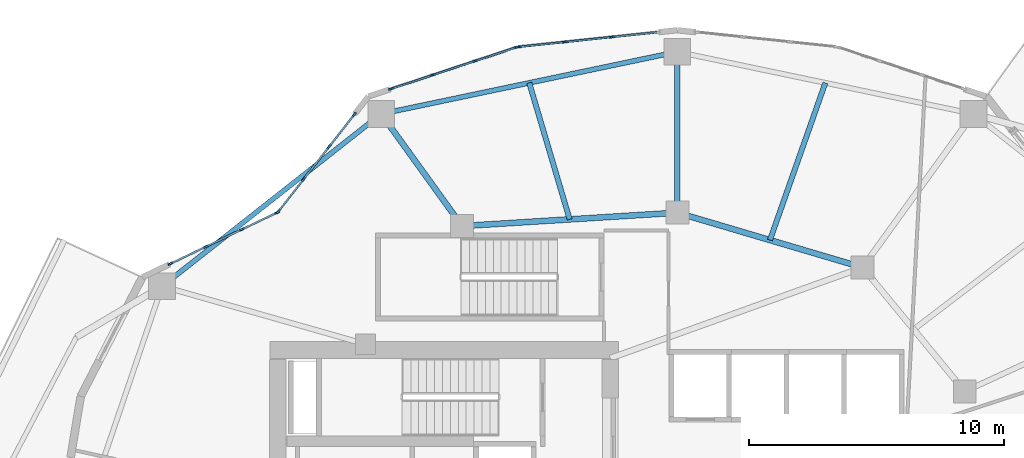
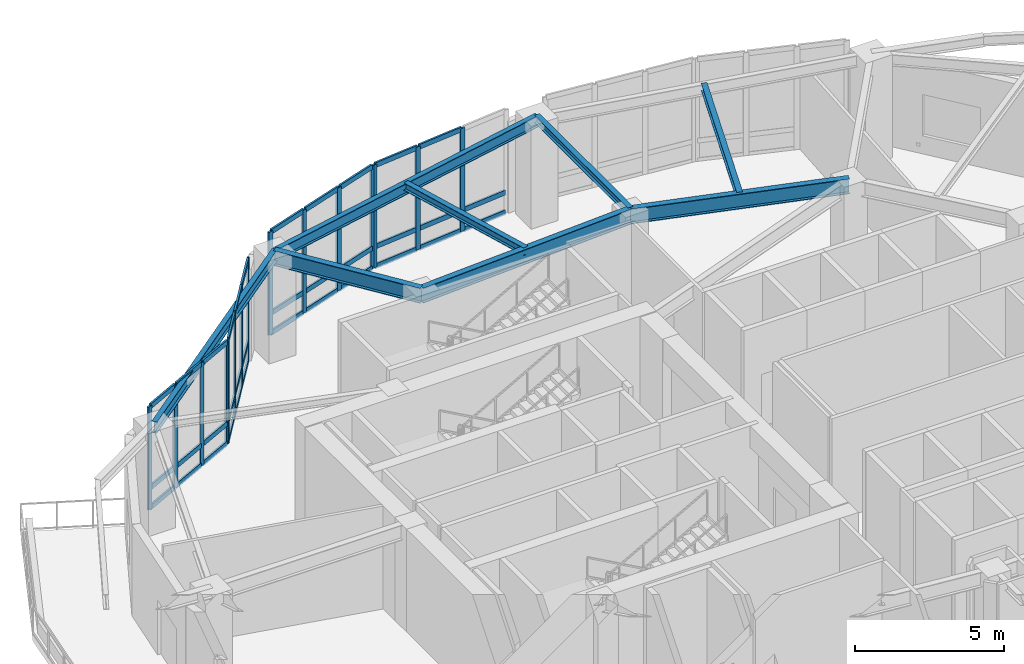
# One storey, part 6 of 16: 50 members, 8 beams, 4 elements without a shape of their own.
"""IFC4 building model written with IfcOpenShell, lengths in metres."""

from ifc_helpers import new_model, si_unit, direction, frame, origin, origin_2d, place, context, subcontext, project, spatial, rectangle, i_section, extrude, material, layer, layer_set, material_profile, profile_set, type_object, element, aggregate, save


model = new_model("IFC4")

# Units and contexts
model_context = context("Model", 3, precision=1e-05, world=origin(), true_north=direction((0.0, 1.0)))
body_context = subcontext(model_context, "Body", "Model", "MODEL_VIEW")
ifc_project = project(units=[si_unit("LENGTHUNIT", "METRE"), si_unit("AREAUNIT", "SQUARE_METRE"), si_unit("VOLUMEUNIT", "CUBIC_METRE"), si_unit("PLANEANGLEUNIT", "RADIAN"), si_unit("MASSUNIT", "GRAM", prefix="KILO")], contexts=[model_context])

# Site, building, storey
site_placement = place(None, origin())
site = spatial("IfcSite", under=ifc_project, at=site_placement, CompositionType="ELEMENT")
building_placement = place(site_placement, origin())
building = spatial("IfcBuilding", under=site, at=building_placement, Name="Kolvaren Gate Tower and Convention Centre", CompositionType="ELEMENT")
storey_placement = place(building_placement, frame((0.0, 0.0, 100.800048828125)))
storey = spatial("IfcBuildingStorey", under=building, at=storey_placement, Name="L24", CompositionType="ELEMENT", Elevation=100.800048828125)

# Curtain wall, members
ifc_material_1 = material(Name="Anodized Architectural Aluminium Alloy 6063-T6", Category="aluminium")
ifc_layer = layer(ifc_material_1, 0.199951171875)
ifc_layer_set = layer_set([ifc_layer], Name="Anodized Architectural Aluminium Alloy 6063-T6")
curtain_wall_type = type_object("IfcCurtainWallType", Name="CW-SKY-GLZ", PredefinedType="NOTDEFINED", material=ifc_layer_set)
curtain_wall_1_placement = place(storey_placement, origin())
curtain_wall_1 = element("IfcCurtainWall", 1, at=curtain_wall_1_placement, inside=storey, type_object=curtain_wall_type, Name="L24 Panoramic Structural Curtain Wall CW-06", PredefinedType="NOTDEFINED")
ifc_material_profile_1 = material_profile(ifc_material_1, rectangle(XDim=0.074951171875, YDim=0.199951171875, at=origin_2d()), Name="CW-MEM-MUL-200")
ifc_profile_set_1 = profile_set([ifc_material_profile_1], Name="Anodized Architectural Aluminium Alloy 6063-T6")
member_type_1 = type_object("IfcMemberType", Name="CW-MEM-MUL-200", PredefinedType="MULLION", material=ifc_profile_set_1)
member_1_placement = place(storey_placement, frame((23.902099609375, 45.694580078125, 0.0), z_axis=(0.0, 0.0, 1.0), x_axis=(-0.104742768305, 0.994499347656, 0.0)))
member_1 = element("IfcMember", 2, at=member_1_placement, type_object=member_type_1, Name="CW-05 mullion 1", PredefinedType="MULLION", context=body_context, shape_type="SweptSolid", body=[
    extrude(rectangle(XDim=0.074951171875, YDim=0.199951171875, at=origin_2d()), origin(), (0.0, 0.0, 1.0), 4.22998046875),
])
member_2_placement = place(storey_placement, frame((25.7099609375, 45.885009765625, 0.0), z_axis=(0.0, 0.0, 1.0), x_axis=(-0.104742768305, 0.994499347656, 0.0)))
member_2 = element("IfcMember", 3, at=member_2_placement, type_object=member_type_1, Name="CW-05 mullion 2", PredefinedType="MULLION", context=body_context, shape_type="SweptSolid", body=[
    extrude(rectangle(XDim=0.074951171875, YDim=0.199951171875, at=origin_2d()), origin(), (0.0, 0.0, 1.0), 4.22998046875),
])
member_3_placement = place(storey_placement, frame((27.55517578125, 46.079345703125, 0.0), z_axis=(0.0, 0.0, 1.0), x_axis=(-0.104742768305, 0.994499347656, 0.0)))
member_3 = element("IfcMember", 4, at=member_3_placement, type_object=member_type_1, Name="CW-05 mullion 3", PredefinedType="MULLION", context=body_context, shape_type="SweptSolid", body=[
    extrude(rectangle(XDim=0.074951171875, YDim=0.199951171875, at=origin_2d()), origin(), (0.0, 0.0, 1.0), 4.22998046875),
])

curtain_wall_2_placement = place(storey_placement, origin())
curtain_wall_2 = element("IfcCurtainWall", 5, at=curtain_wall_2_placement, inside=storey, type_object=curtain_wall_type, Name="L24 Panoramic Structural Curtain Wall CW-07", PredefinedType="NOTDEFINED")
member_4_placement = place(storey_placement, frame((18.91650390625, 44.05078125, 0.0), z_axis=(0.0, 0.0, 1.0), x_axis=(-0.314564560163, 0.949236081009, 0.0)))
member_4 = element("IfcMember", 6, at=member_4_placement, type_object=member_type_1, Name="CW-05 mullion 1", PredefinedType="MULLION", context=body_context, shape_type="SweptSolid", body=[
    extrude(rectangle(XDim=0.074951171875, YDim=0.199951171875, at=origin_2d()), origin(), (0.0, 0.0, 1.0), 4.22998046875),
])
member_5_placement = place(storey_placement, frame((20.542236328125, 44.589599609375, 0.0), z_axis=(0.0, 0.0, 1.0), x_axis=(-0.314564560163, 0.949236081009, 0.0)))
member_5 = element("IfcMember", 7, at=member_5_placement, type_object=member_type_1, Name="CW-05 mullion 2", PredefinedType="MULLION", context=body_context, shape_type="SweptSolid", body=[
    extrude(rectangle(XDim=0.074951171875, YDim=0.199951171875, at=origin_2d()), origin(), (0.0, 0.0, 1.0), 4.22998046875),
])
member_6_placement = place(storey_placement, frame((22.20361328125, 45.14013671875, 0.0), z_axis=(0.0, 0.0, 1.0), x_axis=(-0.314564560163, 0.949236081009, 0.0)))
member_6 = element("IfcMember", 8, at=member_6_placement, type_object=member_type_1, Name="CW-05 mullion 3", PredefinedType="MULLION", context=body_context, shape_type="SweptSolid", body=[
    extrude(rectangle(XDim=0.074951171875, YDim=0.199951171875, at=origin_2d()), origin(), (0.0, 0.0, 1.0), 4.22998046875),
])
member_7_placement = place(storey_placement, frame((23.8291015625, 45.678955078125, 0.0), z_axis=(0.0, 0.0, 1.0), x_axis=(-0.314564560163, 0.949236081009, 0.0)))
member_7 = element("IfcMember", 9, at=member_7_placement, type_object=member_type_1, Name="CW-05 mullion 4", PredefinedType="MULLION", context=body_context, shape_type="SweptSolid", body=[
    extrude(rectangle(XDim=0.074951171875, YDim=0.199951171875, at=origin_2d()), origin(), (0.0, 0.0, 1.0), 4.22998046875),
])

curtain_wall_3_placement = place(storey_placement, origin())
curtain_wall_3 = element("IfcCurtainWall", 10, at=curtain_wall_3_placement, inside=storey, type_object=curtain_wall_type, Name="L24 Panoramic Structural Curtain Wall CW-08", PredefinedType="NOTDEFINED")
member_8_placement = place(storey_placement, frame((14.50439453125, 39.25244140625, 0.0), z_axis=(0.0, 0.0, 1.0), x_axis=(-0.787400841666, 0.616441330983, 0.0)))
member_8 = element("IfcMember", 11, at=member_8_placement, type_object=member_type_1, Name="CW-05 mullion 1", PredefinedType="MULLION", context=body_context, shape_type="SweptSolid", body=[
    extrude(rectangle(XDim=0.074951171875, YDim=0.199951171875, at=origin_2d()), origin(), (0.0, 0.0, 1.0), 4.22998046875),
])
member_9_placement = place(storey_placement, frame((15.484619140625, 40.504638671875, 0.0), z_axis=(0.0, 0.0, 1.0), x_axis=(-0.787400841666, 0.616441330983, 0.0)))
member_9 = element("IfcMember", 12, at=member_9_placement, type_object=member_type_1, Name="CW-05 mullion 2", PredefinedType="MULLION", context=body_context, shape_type="SweptSolid", body=[
    extrude(rectangle(XDim=0.074951171875, YDim=0.199951171875, at=origin_2d()), origin(), (0.0, 0.0, 1.0), 4.22998046875),
])
member_10_placement = place(storey_placement, frame((16.488037109375, 41.786376953125, 0.0), z_axis=(0.0, 0.0, 1.0), x_axis=(-0.787400841666, 0.616441330983, 0.0)))
member_10 = element("IfcMember", 13, at=member_10_placement, type_object=member_type_1, Name="CW-05 mullion 3", PredefinedType="MULLION", context=body_context, shape_type="SweptSolid", body=[
    extrude(rectangle(XDim=0.074951171875, YDim=0.199951171875, at=origin_2d()), origin(), (0.0, 0.0, 1.0), 4.22998046875),
])
member_11_placement = place(storey_placement, frame((17.46826171875, 43.038330078125, 0.0), z_axis=(0.0, 0.0, 1.0), x_axis=(-0.787400841666, 0.616441330983, 0.0)))
member_11 = element("IfcMember", 14, at=member_11_placement, type_object=member_type_1, Name="CW-05 mullion 4", PredefinedType="MULLION", context=body_context, shape_type="SweptSolid", body=[
    extrude(rectangle(XDim=0.074951171875, YDim=0.199951171875, at=origin_2d()), origin(), (0.0, 0.0, 1.0), 4.22998046875),
])

curtain_wall_4_placement = place(storey_placement, origin())
curtain_wall_4 = element("IfcCurtainWall", 15, at=curtain_wall_4_placement, inside=storey, type_object=curtain_wall_type, Name="L24 Panoramic Structural Curtain Wall CW-09", PredefinedType="NOTDEFINED")
member_12_placement = place(storey_placement, frame((10.2763671875, 37.20263671875, 0.0), z_axis=(0.0, 0.0, 1.0), x_axis=(-0.43307254033, 0.901359070966, 0.0)))
member_12 = element("IfcMember", 16, at=member_12_placement, type_object=member_type_1, Name="CW-05 mullion 1", PredefinedType="MULLION", context=body_context, shape_type="SweptSolid", body=[
    extrude(rectangle(XDim=0.074951171875, YDim=0.199951171875, at=origin_2d()), origin(), (0.0, 0.0, 1.0), 4.22998046875),
])
member_13_placement = place(storey_placement, frame((11.655517578125, 37.865234375, 0.0), z_axis=(0.0, 0.0, 1.0), x_axis=(-0.43307254033, 0.901359070966, 0.0)))
member_13 = element("IfcMember", 17, at=member_13_placement, type_object=member_type_1, Name="CW-05 mullion 2", PredefinedType="MULLION", context=body_context, shape_type="SweptSolid", body=[
    extrude(rectangle(XDim=0.074951171875, YDim=0.199951171875, at=origin_2d()), origin(), (0.0, 0.0, 1.0), 4.22998046875),
])
member_14_placement = place(storey_placement, frame((13.068359375, 38.544189453125, 0.0), z_axis=(0.0, 0.0, 1.0), x_axis=(-0.43307254033, 0.901359070966, 0.0)))
member_14 = element("IfcMember", 18, at=member_14_placement, type_object=member_type_1, Name="CW-05 mullion 3", PredefinedType="MULLION", context=body_context, shape_type="SweptSolid", body=[
    extrude(rectangle(XDim=0.074951171875, YDim=0.199951171875, at=origin_2d()), origin(), (0.0, 0.0, 1.0), 4.22998046875),
])
member_15_placement = place(storey_placement, frame((14.447509765625, 39.206787109375, 0.0), z_axis=(0.0, 0.0, 1.0), x_axis=(-0.43307254033, 0.901359070966, 0.0)))
member_15 = element("IfcMember", 19, at=member_15_placement, type_object=member_type_1, Name="CW-05 mullion 4", PredefinedType="MULLION", context=body_context, shape_type="SweptSolid", body=[
    extrude(rectangle(XDim=0.074951171875, YDim=0.199951171875, at=origin_2d()), origin(), (0.0, 0.0, 1.0), 4.22998046875),
])

# Member
ifc_material_profile_2 = material_profile(ifc_material_1, rectangle(XDim=0.074951171875, YDim=0.199951171875, at=origin_2d()), Name="CW-MEM-TRN-200")
ifc_profile_set_2 = profile_set([ifc_material_profile_2], Name="Anodized Architectural Aluminium Alloy 6063-T6")
member_type_2 = type_object("IfcMemberType", Name="CW-MEM-TRN-200", PredefinedType="USERDEFINED", material=ifc_profile_set_2)
member_16_placement = place(storey_placement, frame((23.939453125, 45.698486328125, 0.037353515625), z_axis=(0.994494701097, 0.104786876521, 0.0), x_axis=(-0.104786876521, 0.994494701097, 0.0)))
member_16 = element("IfcMember", 20, at=member_16_placement, type_object=member_type_2, Name="CW-05 transom 1.1", ObjectType="TRANSOM", PredefinedType="USERDEFINED", context=body_context, shape_type="SweptSolid", body=[
    extrude(rectangle(XDim=0.074951171875, YDim=0.199951171875, at=origin_2d()), origin(), (0.0, 0.0, 1.0), 1.74267578125),
])

member_17_placement = place(storey_placement, frame((23.939453125, 45.698486328125, 0.849853515625), z_axis=(0.994494701097, 0.104786876521, 0.0), x_axis=(-0.104786876521, 0.994494701097, 0.0)))
member_17 = element("IfcMember", 21, at=member_17_placement, type_object=member_type_2, Name="CW-05 transom 1.2", ObjectType="TRANSOM", PredefinedType="USERDEFINED", context=body_context, shape_type="SweptSolid", body=[
    extrude(rectangle(XDim=0.074951171875, YDim=0.199951171875, at=origin_2d()), origin(), (0.0, 0.0, 1.0), 1.74267578125),
])

member_18_placement = place(storey_placement, frame((23.939453125, 45.698486328125, 4.1923828125), z_axis=(0.994494701097, 0.104786876521, 0.0), x_axis=(-0.104786876521, 0.994494701097, 0.0)))
member_18 = element("IfcMember", 22, at=member_18_placement, type_object=member_type_2, Name="CW-05 transom 1.3", ObjectType="TRANSOM", PredefinedType="USERDEFINED", context=body_context, shape_type="SweptSolid", body=[
    extrude(rectangle(XDim=0.074951171875, YDim=0.199951171875, at=origin_2d()), origin(), (0.0, 0.0, 1.0), 1.74267578125),
])

member_19_placement = place(storey_placement, frame((25.747314453125, 45.888916015625, 0.037353515625), z_axis=(0.994496432196, 0.104770445973, 0.0), x_axis=(-0.104770445973, 0.994496432196, 0.0)))
member_19 = element("IfcMember", 23, at=member_19_placement, type_object=member_type_2, Name="CW-05 transom 2.1", ObjectType="TRANSOM", PredefinedType="USERDEFINED", context=body_context, shape_type="SweptSolid", body=[
    extrude(rectangle(XDim=0.074951171875, YDim=0.199951171875, at=origin_2d()), origin(), (0.0, 0.0, 1.0), 1.7802734375),
])

member_20_placement = place(storey_placement, frame((25.747314453125, 45.888916015625, 0.849853515625), z_axis=(0.994496432196, 0.104770445973, 0.0), x_axis=(-0.104770445973, 0.994496432196, 0.0)))
member_20 = element("IfcMember", 24, at=member_20_placement, type_object=member_type_2, Name="CW-05 transom 2.2", ObjectType="TRANSOM", PredefinedType="USERDEFINED", context=body_context, shape_type="SweptSolid", body=[
    extrude(rectangle(XDim=0.074951171875, YDim=0.199951171875, at=origin_2d()), origin(), (0.0, 0.0, 1.0), 1.7802734375),
])

member_21_placement = place(storey_placement, frame((25.747314453125, 45.888916015625, 4.1923828125), z_axis=(0.994496432196, 0.104770445973, 0.0), x_axis=(-0.104770445973, 0.994496432196, 0.0)))
member_21 = element("IfcMember", 25, at=member_21_placement, type_object=member_type_2, Name="CW-05 transom 2.3", ObjectType="TRANSOM", PredefinedType="USERDEFINED", context=body_context, shape_type="SweptSolid", body=[
    extrude(rectangle(XDim=0.074951171875, YDim=0.199951171875, at=origin_2d()), origin(), (0.0, 0.0, 1.0), 1.7802734375),
])

member_22_placement = place(storey_placement, frame((27.59228515625, 46.083251953125, 0.037353515625), z_axis=(0.994496238997, 0.104772279827, 0.0), x_axis=(-0.104772279827, 0.994496238997, 0.0)))
member_22 = element("IfcMember", 26, at=member_22_placement, type_object=member_type_2, Name="CW-05 transom 3.1", ObjectType="TRANSOM", PredefinedType="USERDEFINED", context=body_context, shape_type="SweptSolid", body=[
    extrude(rectangle(XDim=0.074951171875, YDim=0.199951171875, at=origin_2d()), origin(), (0.0, 0.0, 1.0), 1.742919921875),
])

member_23_placement = place(storey_placement, frame((27.59228515625, 46.083251953125, 0.849853515625), z_axis=(0.994496238997, 0.104772279827, 0.0), x_axis=(-0.104772279827, 0.994496238997, 0.0)))
member_23 = element("IfcMember", 27, at=member_23_placement, type_object=member_type_2, Name="CW-05 transom 3.2", ObjectType="TRANSOM", PredefinedType="USERDEFINED", context=body_context, shape_type="SweptSolid", body=[
    extrude(rectangle(XDim=0.074951171875, YDim=0.199951171875, at=origin_2d()), origin(), (0.0, 0.0, 1.0), 1.742919921875),
])

aggregate(curtain_wall_1, [member_1, member_2, member_3, member_16, member_17, member_18, member_19, member_20, member_21, member_22, member_23])

member_24_placement = place(storey_placement, frame((18.9521484375, 44.062744140625, 0.037353515625), z_axis=(0.949233474594, 0.314572425223, 0.0), x_axis=(-0.314572425223, 0.949233474594, 0.0)))
member_24 = element("IfcMember", 28, at=member_24_placement, type_object=member_type_2, Name="CW-05 transom 1.1", ObjectType="TRANSOM", PredefinedType="USERDEFINED", context=body_context, shape_type="SweptSolid", body=[
    extrude(rectangle(XDim=0.074951171875, YDim=0.199951171875, at=origin_2d()), origin(), (0.0, 0.0, 1.0), 1.6376953125),
])

member_25_placement = place(storey_placement, frame((18.9521484375, 44.062744140625, 0.849853515625), z_axis=(0.949233474594, 0.314572425223, 0.0), x_axis=(-0.314572425223, 0.949233474594, 0.0)))
member_25 = element("IfcMember", 29, at=member_25_placement, type_object=member_type_2, Name="CW-05 transom 1.2", ObjectType="TRANSOM", PredefinedType="USERDEFINED", context=body_context, shape_type="SweptSolid", body=[
    extrude(rectangle(XDim=0.074951171875, YDim=0.199951171875, at=origin_2d()), origin(), (0.0, 0.0, 1.0), 1.6376953125),
])

member_26_placement = place(storey_placement, frame((18.9521484375, 44.062744140625, 4.1923828125), z_axis=(0.949233474594, 0.314572425223, 0.0), x_axis=(-0.314572425223, 0.949233474594, 0.0)))
member_26 = element("IfcMember", 30, at=member_26_placement, type_object=member_type_2, Name="CW-05 transom 1.3", ObjectType="TRANSOM", PredefinedType="USERDEFINED", context=body_context, shape_type="SweptSolid", body=[
    extrude(rectangle(XDim=0.074951171875, YDim=0.199951171875, at=origin_2d()), origin(), (0.0, 0.0, 1.0), 1.6376953125),
])

member_27_placement = place(storey_placement, frame((20.577880859375, 44.601318359375, 0.037353515625), z_axis=(0.949206657439, 0.314653335392, 0.0), x_axis=(-0.314653335392, 0.949206657439, 0.0)))
member_27 = element("IfcMember", 31, at=member_27_placement, type_object=member_type_2, Name="CW-05 transom 2.1", ObjectType="TRANSOM", PredefinedType="USERDEFINED", context=body_context, shape_type="SweptSolid", body=[
    extrude(rectangle(XDim=0.074951171875, YDim=0.199951171875, at=origin_2d()), origin(), (0.0, 0.0, 1.0), 1.67529296875),
])

member_28_placement = place(storey_placement, frame((20.577880859375, 44.601318359375, 0.849853515625), z_axis=(0.949206657439, 0.314653335392, 0.0), x_axis=(-0.314653335392, 0.949206657439, 0.0)))
member_28 = element("IfcMember", 32, at=member_28_placement, type_object=member_type_2, Name="CW-05 transom 2.2", ObjectType="TRANSOM", PredefinedType="USERDEFINED", context=body_context, shape_type="SweptSolid", body=[
    extrude(rectangle(XDim=0.074951171875, YDim=0.199951171875, at=origin_2d()), origin(), (0.0, 0.0, 1.0), 1.67529296875),
])

member_29_placement = place(storey_placement, frame((20.577880859375, 44.601318359375, 4.1923828125), z_axis=(0.949206657439, 0.314653335392, 0.0), x_axis=(-0.314653335392, 0.949206657439, 0.0)))
member_29 = element("IfcMember", 33, at=member_29_placement, type_object=member_type_2, Name="CW-05 transom 2.3", ObjectType="TRANSOM", PredefinedType="USERDEFINED", context=body_context, shape_type="SweptSolid", body=[
    extrude(rectangle(XDim=0.074951171875, YDim=0.199951171875, at=origin_2d()), origin(), (0.0, 0.0, 1.0), 1.67529296875),
])

member_30_placement = place(storey_placement, frame((22.239013671875, 45.15185546875, 0.037353515625), z_axis=(0.949248224434, 0.314527913561, 0.0), x_axis=(-0.314527913561, 0.949248224434, 0.0)))
member_30 = element("IfcMember", 34, at=member_30_placement, type_object=member_type_2, Name="CW-05 transom 3.1", ObjectType="TRANSOM", PredefinedType="USERDEFINED", context=body_context, shape_type="SweptSolid", body=[
    extrude(rectangle(XDim=0.074951171875, YDim=0.199951171875, at=origin_2d()), origin(), (0.0, 0.0, 1.0), 1.6376953125),
])

member_31_placement = place(storey_placement, frame((22.239013671875, 45.15185546875, 0.849853515625), z_axis=(0.949248224434, 0.314527913561, 0.0), x_axis=(-0.314527913561, 0.949248224434, 0.0)))
member_31 = element("IfcMember", 35, at=member_31_placement, type_object=member_type_2, Name="CW-05 transom 3.2", ObjectType="TRANSOM", PredefinedType="USERDEFINED", context=body_context, shape_type="SweptSolid", body=[
    extrude(rectangle(XDim=0.074951171875, YDim=0.199951171875, at=origin_2d()), origin(), (0.0, 0.0, 1.0), 1.6376953125),
])

member_32_placement = place(storey_placement, frame((22.239013671875, 45.15185546875, 4.1923828125), z_axis=(0.949248224434, 0.314527913561, 0.0), x_axis=(-0.314527913561, 0.949248224434, 0.0)))
member_32 = element("IfcMember", 36, at=member_32_placement, type_object=member_type_2, Name="CW-05 transom 3.3", ObjectType="TRANSOM", PredefinedType="USERDEFINED", context=body_context, shape_type="SweptSolid", body=[
    extrude(rectangle(XDim=0.074951171875, YDim=0.199951171875, at=origin_2d()), origin(), (0.0, 0.0, 1.0), 1.6376953125),
])

aggregate(curtain_wall_2, [member_4, member_5, member_6, member_7, member_24, member_25, member_26, member_27, member_28, member_29, member_30, member_31, member_32])

member_33_placement = place(storey_placement, frame((14.527587890625, 39.281982421875, 0.037353515625), z_axis=(0.616447272845, 0.787396189857, 0.0), x_axis=(-0.787396189857, 0.616447272845, 0.0)))
member_33 = element("IfcMember", 37, at=member_33_placement, type_object=member_type_2, Name="CW-05 transom 1.1", ObjectType="TRANSOM", PredefinedType="USERDEFINED", context=body_context, shape_type="SweptSolid", body=[
    extrude(rectangle(XDim=0.074951171875, YDim=0.199951171875, at=origin_2d()), origin(), (0.0, 0.0, 1.0), 1.515380859375),
])

member_34_placement = place(storey_placement, frame((14.527587890625, 39.281982421875, 0.849853515625), z_axis=(0.616447272845, 0.787396189857, 0.0), x_axis=(-0.787396189857, 0.616447272845, 0.0)))
member_34 = element("IfcMember", 38, at=member_34_placement, type_object=member_type_2, Name="CW-05 transom 1.2", ObjectType="TRANSOM", PredefinedType="USERDEFINED", context=body_context, shape_type="SweptSolid", body=[
    extrude(rectangle(XDim=0.074951171875, YDim=0.199951171875, at=origin_2d()), origin(), (0.0, 0.0, 1.0), 1.515380859375),
])

member_35_placement = place(storey_placement, frame((14.527587890625, 39.281982421875, 4.1923828125), z_axis=(0.616447272845, 0.787396189857, 0.0), x_axis=(-0.787396189857, 0.616447272845, 0.0)))
member_35 = element("IfcMember", 39, at=member_35_placement, type_object=member_type_2, Name="CW-05 transom 1.3", ObjectType="TRANSOM", PredefinedType="USERDEFINED", context=body_context, shape_type="SweptSolid", body=[
    extrude(rectangle(XDim=0.074951171875, YDim=0.199951171875, at=origin_2d()), origin(), (0.0, 0.0, 1.0), 1.515380859375),
])

member_36_placement = place(storey_placement, frame((15.5078125, 40.5341796875, 0.037353515625), z_axis=(0.616376095102, 0.787451909253, 0.0), x_axis=(-0.787451909253, 0.616376095102, 0.0)))
member_36 = element("IfcMember", 40, at=member_36_placement, type_object=member_type_2, Name="CW-05 transom 2.1", ObjectType="TRANSOM", PredefinedType="USERDEFINED", context=body_context, shape_type="SweptSolid", body=[
    extrude(rectangle(XDim=0.074951171875, YDim=0.199951171875, at=origin_2d()), origin(), (0.0, 0.0, 1.0), 1.552734375),
])

member_37_placement = place(storey_placement, frame((15.5078125, 40.5341796875, 0.849853515625), z_axis=(0.616376095102, 0.787451909253, 0.0), x_axis=(-0.787451909253, 0.616376095102, 0.0)))
member_37 = element("IfcMember", 41, at=member_37_placement, type_object=member_type_2, Name="CW-05 transom 2.2", ObjectType="TRANSOM", PredefinedType="USERDEFINED", context=body_context, shape_type="SweptSolid", body=[
    extrude(rectangle(XDim=0.074951171875, YDim=0.199951171875, at=origin_2d()), origin(), (0.0, 0.0, 1.0), 1.552734375),
])

member_38_placement = place(storey_placement, frame((15.5078125, 40.5341796875, 4.1923828125), z_axis=(0.616376095102, 0.787451909253, 0.0), x_axis=(-0.787451909253, 0.616376095102, 0.0)))
member_38 = element("IfcMember", 42, at=member_38_placement, type_object=member_type_2, Name="CW-05 transom 2.3", ObjectType="TRANSOM", PredefinedType="USERDEFINED", context=body_context, shape_type="SweptSolid", body=[
    extrude(rectangle(XDim=0.074951171875, YDim=0.199951171875, at=origin_2d()), origin(), (0.0, 0.0, 1.0), 1.552734375),
])

member_39_placement = place(storey_placement, frame((16.51123046875, 41.815673828125, 0.037353515625), z_axis=(0.616347364379, 0.787474397313, 0.0), x_axis=(-0.787474397313, 0.616347364379, 0.0)))
member_39 = element("IfcMember", 43, at=member_39_placement, type_object=member_type_2, Name="CW-05 transom 3.1", ObjectType="TRANSOM", PredefinedType="USERDEFINED", context=body_context, shape_type="SweptSolid", body=[
    extrude(rectangle(XDim=0.074951171875, YDim=0.199951171875, at=origin_2d()), origin(), (0.0, 0.0, 1.0), 1.51513671875),
])

member_40_placement = place(storey_placement, frame((16.51123046875, 41.815673828125, 0.849853515625), z_axis=(0.616347364379, 0.787474397313, 0.0), x_axis=(-0.787474397313, 0.616347364379, 0.0)))
member_40 = element("IfcMember", 44, at=member_40_placement, type_object=member_type_2, Name="CW-05 transom 3.2", ObjectType="TRANSOM", PredefinedType="USERDEFINED", context=body_context, shape_type="SweptSolid", body=[
    extrude(rectangle(XDim=0.074951171875, YDim=0.199951171875, at=origin_2d()), origin(), (0.0, 0.0, 1.0), 1.51513671875),
])

member_41_placement = place(storey_placement, frame((16.51123046875, 41.815673828125, 4.1923828125), z_axis=(0.616347364379, 0.787474397313, 0.0), x_axis=(-0.787474397313, 0.616347364379, 0.0)))
member_41 = element("IfcMember", 45, at=member_41_placement, type_object=member_type_2, Name="CW-05 transom 3.3", ObjectType="TRANSOM", PredefinedType="USERDEFINED", context=body_context, shape_type="SweptSolid", body=[
    extrude(rectangle(XDim=0.074951171875, YDim=0.199951171875, at=origin_2d()), origin(), (0.0, 0.0, 1.0), 1.51513671875),
])

aggregate(curtain_wall_3, [member_8, member_9, member_10, member_11, member_33, member_34, member_35, member_36, member_37, member_38, member_39, member_40, member_41])

member_42_placement = place(storey_placement, frame((10.31005859375, 37.218994140625, 0.037353515625), z_axis=(0.901363279999, 0.43306377991, 0.0), x_axis=(-0.43306377991, 0.901363279999, 0.0)))
member_42 = element("IfcMember", 46, at=member_42_placement, type_object=member_type_2, Name="CW-05 transom 1.1", ObjectType="TRANSOM", PredefinedType="USERDEFINED", context=body_context, shape_type="SweptSolid", body=[
    extrude(rectangle(XDim=0.074951171875, YDim=0.199951171875, at=origin_2d()), origin(), (0.0, 0.0, 1.0), 1.455078125),
])

member_43_placement = place(storey_placement, frame((10.31005859375, 37.218994140625, 0.849853515625), z_axis=(0.901363279999, 0.43306377991, 0.0), x_axis=(-0.43306377991, 0.901363279999, 0.0)))
member_43 = element("IfcMember", 47, at=member_43_placement, type_object=member_type_2, Name="CW-05 transom 1.2", ObjectType="TRANSOM", PredefinedType="USERDEFINED", context=body_context, shape_type="SweptSolid", body=[
    extrude(rectangle(XDim=0.074951171875, YDim=0.199951171875, at=origin_2d()), origin(), (0.0, 0.0, 1.0), 1.455078125),
])

member_44_placement = place(storey_placement, frame((10.31005859375, 37.218994140625, 4.1923828125), z_axis=(0.901363279999, 0.43306377991, 0.0), x_axis=(-0.43306377991, 0.901363279999, 0.0)))
member_44 = element("IfcMember", 48, at=member_44_placement, type_object=member_type_2, Name="CW-05 transom 1.3", ObjectType="TRANSOM", PredefinedType="USERDEFINED", context=body_context, shape_type="SweptSolid", body=[
    extrude(rectangle(XDim=0.074951171875, YDim=0.199951171875, at=origin_2d()), origin(), (0.0, 0.0, 1.0), 1.455078125),
])

member_45_placement = place(storey_placement, frame((11.689208984375, 37.881591796875, 0.037353515625), z_axis=(0.901413275345, 0.432959706013, 0.0), x_axis=(-0.432959706013, 0.901413275345, 0.0)))
member_45 = element("IfcMember", 49, at=member_45_placement, type_object=member_type_2, Name="CW-05 transom 2.1", ObjectType="TRANSOM", PredefinedType="USERDEFINED", context=body_context, shape_type="SweptSolid", body=[
    extrude(rectangle(XDim=0.074951171875, YDim=0.199951171875, at=origin_2d()), origin(), (0.0, 0.0, 1.0), 1.49267578125),
])

member_46_placement = place(storey_placement, frame((11.689208984375, 37.881591796875, 0.849853515625), z_axis=(0.901413275345, 0.432959706013, 0.0), x_axis=(-0.432959706013, 0.901413275345, 0.0)))
member_46 = element("IfcMember", 50, at=member_46_placement, type_object=member_type_2, Name="CW-05 transom 2.2", ObjectType="TRANSOM", PredefinedType="USERDEFINED", context=body_context, shape_type="SweptSolid", body=[
    extrude(rectangle(XDim=0.074951171875, YDim=0.199951171875, at=origin_2d()), origin(), (0.0, 0.0, 1.0), 1.49267578125),
])

member_47_placement = place(storey_placement, frame((11.689208984375, 37.881591796875, 4.1923828125), z_axis=(0.901413275345, 0.432959706013, 0.0), x_axis=(-0.432959706013, 0.901413275345, 0.0)))
member_47 = element("IfcMember", 51, at=member_47_placement, type_object=member_type_2, Name="CW-05 transom 2.3", ObjectType="TRANSOM", PredefinedType="USERDEFINED", context=body_context, shape_type="SweptSolid", body=[
    extrude(rectangle(XDim=0.074951171875, YDim=0.199951171875, at=origin_2d()), origin(), (0.0, 0.0, 1.0), 1.49267578125),
])

member_48_placement = place(storey_placement, frame((13.10205078125, 38.560302734375, 0.037353515625), z_axis=(0.901394740748, 0.43299829255, 0.0), x_axis=(-0.43299829255, 0.901394740748, 0.0)))
member_48 = element("IfcMember", 52, at=member_48_placement, type_object=member_type_2, Name="CW-05 transom 3.1", ObjectType="TRANSOM", PredefinedType="USERDEFINED", context=body_context, shape_type="SweptSolid", body=[
    extrude(rectangle(XDim=0.074951171875, YDim=0.199951171875, at=origin_2d()), origin(), (0.0, 0.0, 1.0), 1.455322265625),
])

member_49_placement = place(storey_placement, frame((13.10205078125, 38.560302734375, 0.849853515625), z_axis=(0.901394740748, 0.43299829255, 0.0), x_axis=(-0.43299829255, 0.901394740748, 0.0)))
member_49 = element("IfcMember", 53, at=member_49_placement, type_object=member_type_2, Name="CW-05 transom 3.2", ObjectType="TRANSOM", PredefinedType="USERDEFINED", context=body_context, shape_type="SweptSolid", body=[
    extrude(rectangle(XDim=0.074951171875, YDim=0.199951171875, at=origin_2d()), origin(), (0.0, 0.0, 1.0), 1.455322265625),
])

member_50_placement = place(storey_placement, frame((13.10205078125, 38.560302734375, 4.1923828125), z_axis=(0.901394740748, 0.43299829255, 0.0), x_axis=(-0.43299829255, 0.901394740748, 0.0)))
member_50 = element("IfcMember", 54, at=member_50_placement, type_object=member_type_2, Name="CW-05 transom 3.3", ObjectType="TRANSOM", PredefinedType="USERDEFINED", context=body_context, shape_type="SweptSolid", body=[
    extrude(rectangle(XDim=0.074951171875, YDim=0.199951171875, at=origin_2d()), origin(), (0.0, 0.0, 1.0), 1.455322265625),
])

aggregate(curtain_wall_4, [member_12, member_13, member_14, member_15, member_42, member_43, member_44, member_45, member_46, member_47, member_48, member_49, member_50])

# Beams
ifc_material_2 = material(Name="Structural steel ASTM A992 Grade 345 MPa", Category="steel")
ifc_material_profile_3 = material_profile(ifc_material_2, i_section(OverallWidth=0.22998046875, OverallDepth=0.616943359375, WebThickness=0.01318359375, FlangeThickness=0.022216796875, at=origin_2d()), Name="W610X140")
ifc_profile_set_3 = profile_set([ifc_material_profile_3], Name="Structural steel ASTM A992 Grade 345 MPa")
beam_type_1 = type_object("IfcBeamType", Name="STR-BM-W610X140", PredefinedType="BEAM", material=ifc_profile_set_3)
beam_1_placement = place(storey_placement, frame((37.381591796875, 37.054931640625, 3.92138671875), z_axis=(-0.958980837827, 0.283470902706, 0.0), x_axis=(-0.283470902706, -0.958980837827, 0.0)))
element("IfcBeam", 55, at=beam_1_placement, inside=storey, type_object=beam_type_1, Name="Tower L24 Primary Ring Girder G-03", PredefinedType="BEAM", context=body_context, shape_type="SweptSolid", body=[
    extrude(i_section(OverallWidth=0.22998046875, OverallDepth=0.616943359375, WebThickness=0.01318359375, FlangeThickness=0.022216796875, at=origin_2d()), origin(), (0.0, 0.0, 1.0), 7.56689453125),
])
beam_2_placement = place(storey_placement, frame((30.125, 39.199951171875, 3.92138671875), z_axis=(-0.998078258568, -0.06196603726, 0.0), x_axis=(0.06196603726, -0.998078258568, 0.0)))
element("IfcBeam", 56, at=beam_2_placement, inside=storey, type_object=beam_type_1, Name="Tower L24 Primary Ring Girder G-04", PredefinedType="BEAM", context=body_context, shape_type="SweptSolid", body=[
    extrude(i_section(OverallWidth=0.22998046875, OverallDepth=0.616943359375, WebThickness=0.01318359375, FlangeThickness=0.022216796875, at=origin_2d()), origin(), (0.0, 0.0, 1.0), 8.443115234375),
])
beam_3_placement = place(storey_placement, frame((21.697998046875, 38.6767578125, 3.92138671875), z_axis=(-0.585184369967, 0.810900273243, 0.0), x_axis=(-0.810900273243, -0.585184369967, 0.0)))
element("IfcBeam", 57, at=beam_3_placement, inside=storey, type_object=beam_type_1, Name="Tower L24 Radial Floor Girder RB-05", PredefinedType="BEAM", context=body_context, shape_type="SweptSolid", body=[
    extrude(i_section(OverallWidth=0.22998046875, OverallDepth=0.616943359375, WebThickness=0.01318359375, FlangeThickness=0.022216796875, at=origin_2d()), origin(), (0.0, 0.0, 1.0), 5.415771484375),
])
ifc_material_profile_4 = material_profile(ifc_material_2, i_section(OverallWidth=0.205078125, OverallDepth=0.31005859375, WebThickness=0.009521484375, FlangeThickness=0.016357421875, at=origin_2d()), Name="W310X74")
ifc_profile_set_4 = profile_set([ifc_material_profile_4], Name="Structural steel ASTM A992 Grade 345 MPa")
beam_type_2 = type_object("IfcBeamType", Name="STR-JS-W310X74", PredefinedType="JOIST", material=ifc_profile_set_4)
beam_4_placement = place(storey_placement, frame((30.125, 39.199951171875, 4.074951171875), z_axis=(0.0, 1.0, 0.0), x_axis=(-1.0, 0.0, 0.0)))
element("IfcBeam", 58, at=beam_4_placement, inside=storey, type_object=beam_type_2, Name="Tower L24 Radial Floor Girder RB-04", PredefinedType="JOIST", context=body_context, shape_type="SweptSolid", body=[
    extrude(i_section(OverallWidth=0.205078125, OverallDepth=0.31005859375, WebThickness=0.009521484375, FlangeThickness=0.016357421875, at=origin_2d()), origin(), (0.0, 0.0, 1.0), 6.300048828125),
])
beam_5_placement = place(storey_placement, frame((33.75341796875, 38.12744140625, 4.074951171875), z_axis=(0.332372088023, 0.943148342046, 0.0), x_axis=(-0.943148342046, 0.332372088023, 0.0)))
element("IfcBeam", 59, at=beam_5_placement, inside=storey, type_object=beam_type_2, Name="Tower L24 Secondary Composite Floor Joist J-03.1", PredefinedType="JOIST", context=body_context, shape_type="SweptSolid", body=[
    extrude(i_section(OverallWidth=0.205078125, OverallDepth=0.31005859375, WebThickness=0.009521484375, FlangeThickness=0.016357421875, at=origin_2d()), origin(), (0.0, 0.0, 1.0), 6.52783203125),
])
beam_6_placement = place(storey_placement, frame((25.91162109375, 38.938232421875, 4.074951171875), z_axis=(-0.284209081553, 0.958762326107, 0.0), x_axis=(-0.958762326107, -0.284209081553, 0.0)))
element("IfcBeam", 60, at=beam_6_placement, inside=storey, type_object=beam_type_2, Name="Tower L24 Secondary Composite Floor Joist J-04.1", PredefinedType="JOIST", context=body_context, shape_type="SweptSolid", body=[
    extrude(i_section(OverallWidth=0.205078125, OverallDepth=0.31005859375, WebThickness=0.009521484375, FlangeThickness=0.016357421875, at=origin_2d()), origin(), (0.0, 0.0, 1.0), 5.575927734375),
])
ifc_material_profile_5 = material_profile(ifc_material_2, i_section(OverallWidth=0.194091796875, OverallDepth=0.468994140625, WebThickness=0.0126953125, FlangeThickness=0.0205078125, at=origin_2d()), Name="W460X106")
ifc_profile_set_5 = profile_set([ifc_material_profile_5], Name="Structural steel ASTM A992 Grade 345 MPa")
beam_type_3 = type_object("IfcBeamType", Name="STR-SP-W460X106", PredefinedType="SPANDREL", material=ifc_profile_set_5)
beam_7_placement = place(storey_placement, frame((30.125, 45.5, 3.995361328125), z_axis=(-0.978713879092, -0.20522948831, 0.0), x_axis=(0.20522948831, -0.978713879092, 0.0)))
element("IfcBeam", 61, at=beam_7_placement, inside=storey, type_object=beam_type_3, Name="Tower L24 Perimeter Spandrel Beam SP-04", PredefinedType="SPANDREL", context=body_context, shape_type="SweptSolid", body=[
    extrude(i_section(OverallWidth=0.194091796875, OverallDepth=0.468994140625, WebThickness=0.0126953125, FlangeThickness=0.0205078125, at=origin_2d()), origin(), (0.0, 0.0, 1.0), 11.848388671875),
])
beam_8_placement = place(storey_placement, frame((18.52880859375, 43.068359375, 3.995361328125), z_axis=(-0.785916161629, -0.61833307116, 0.0), x_axis=(0.61833307116, -0.785916161629, 0.0)))
element("IfcBeam", 62, at=beam_8_placement, inside=storey, type_object=beam_type_3, Name="Tower L24 Perimeter Spandrel Beam SP-05", PredefinedType="SPANDREL", context=body_context, shape_type="SweptSolid", body=[
    extrude(i_section(OverallWidth=0.194091796875, OverallDepth=0.468994140625, WebThickness=0.0126953125, FlangeThickness=0.0205078125, at=origin_2d()), origin(), (0.0, 0.0, 1.0), 10.916015625),
])

save(model, "model.ifc")
